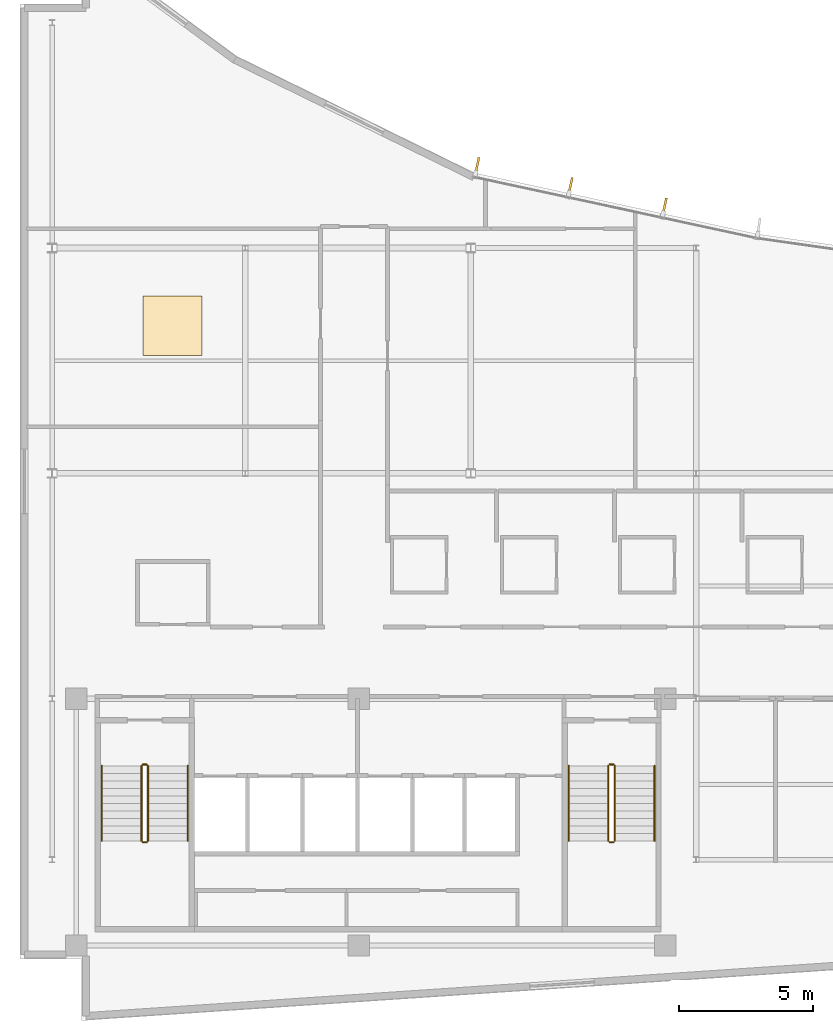
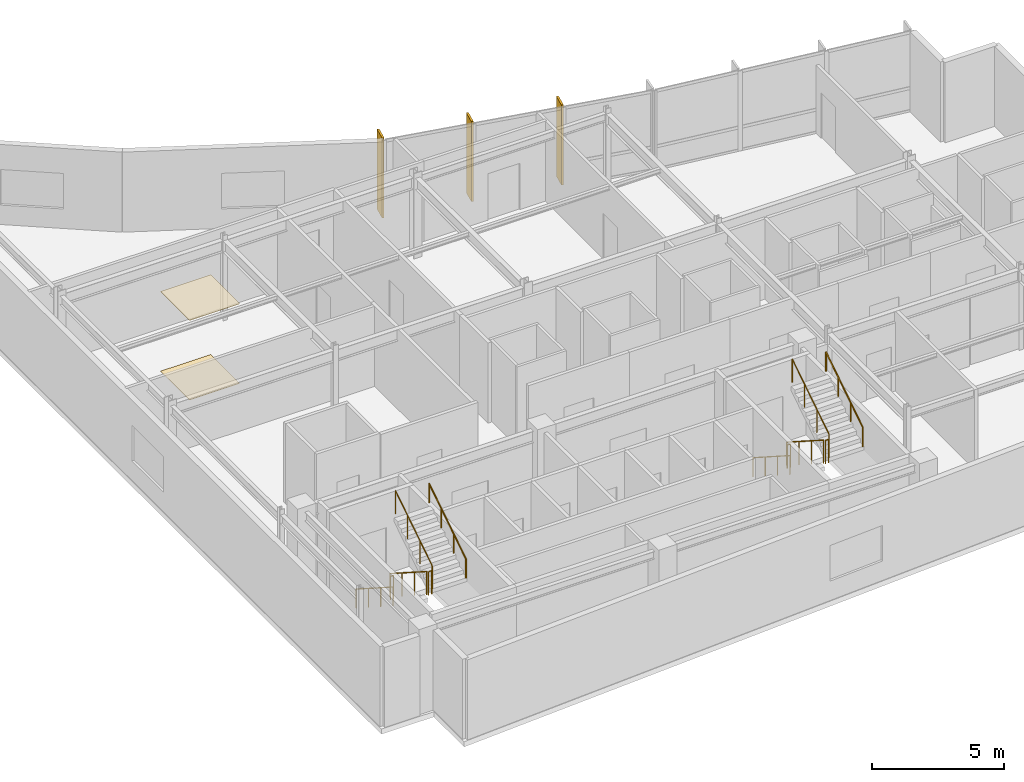
# One storey, part 14 of 16: 12 railings, 3 shading devices, 2 coverings.
"""IFC4 building model written with IfcOpenShell, lengths in metres."""

from ifc_helpers import new_model, si_unit, direction, frame, origin, origin_2d, place, context, subcontext, project, spatial, rectangle, circle, extrude, material, layer, layer_set, type_object, element, save


model = new_model("IFC4")

# Units and contexts
model_context = context("Model", 3, precision=1e-05, world=origin(), true_north=direction((0.0, 1.0)))
body_context = subcontext(model_context, "Body", "Model", "MODEL_VIEW")
ifc_project = project(units=[si_unit("LENGTHUNIT", "METRE"), si_unit("AREAUNIT", "SQUARE_METRE"), si_unit("VOLUMEUNIT", "CUBIC_METRE"), si_unit("PLANEANGLEUNIT", "RADIAN"), si_unit("MASSUNIT", "GRAM", prefix="KILO")], contexts=[model_context])

# Site, building, storey
site_placement = place(None, origin())
site = spatial("IfcSite", under=ifc_project, at=site_placement, CompositionType="ELEMENT")
building_placement = place(site_placement, origin())
building = spatial("IfcBuilding", under=site, at=building_placement, Name="Varnakote Quay Hospital", CompositionType="ELEMENT")
storey_placement = place(building_placement, frame((0.0, 0.0, 296.050048828125)))
storey = spatial("IfcBuildingStorey", under=building, at=storey_placement, Name="L73", CompositionType="ELEMENT", Elevation=296.050048828125)

# Coverings
ifc_material_1 = material(Name="Antimicrobial acoustic mineral ceiling tile", Category="gypsum")
ifc_layer_1 = layer(ifc_material_1, 0.02490234375)
ifc_layer_set_1 = layer_set([ifc_layer_1], Name="Antimicrobial acoustic mineral ceiling tile")
covering_type_1 = type_object("IfcCoveringType", Name="COV-CLIN-CEIL-25", PredefinedType="CEILING", material=ifc_layer_set_1)
covering_1_placement = place(storey_placement, frame((5.679931640625, 25.89990234375, 3.68505859375), z_axis=(0.0, 0.0, 1.0), x_axis=(1.0, 0.0, 0.0)))
element("IfcCovering", 1, at=covering_1_placement, inside=storey, type_object=covering_type_1, Name="L73 Antimicrobial Acoustic Ceiling Tile", PredefinedType="CEILING", context=body_context, shape_type="SweptSolid", body=[
    extrude(rectangle(XDim=2.199951171875, YDim=2.199951171875, at=origin_2d()), origin(), (0.0, 0.0, 1.0), 0.02490234375),
])
ifc_material_2 = material(Name="Seamless clinical sheet vinyl flooring")
ifc_layer_2 = layer(ifc_material_2, 0.011962890625)
ifc_layer_set_2 = layer_set([ifc_layer_2], Name="Seamless clinical sheet vinyl flooring")
covering_type_2 = type_object("IfcCoveringType", Name="COV-CLIN-VINYL-12", PredefinedType="FLOORING", material=ifc_layer_set_2)
covering_2_placement = place(storey_placement, frame((5.679931640625, 25.89990234375, 0.0), z_axis=(0.0, 0.0, 1.0), x_axis=(1.0, 0.0, 0.0)))
element("IfcCovering", 2, at=covering_2_placement, inside=storey, type_object=covering_type_2, Name="L73 Seamless Clinical Vinyl Flooring", PredefinedType="FLOORING", context=body_context, shape_type="SweptSolid", body=[
    extrude(rectangle(XDim=2.199951171875, YDim=2.199951171875, at=origin_2d()), origin(), (0.0, 0.0, 1.0), 0.011962890625),
])

# Railings
ifc_material_3 = material(Name="Brushed stainless steel balustrade", Category="steel")
railing_type_1 = type_object("IfcRailingType", Name="RLG-STAIR-GUARD-1150", PredefinedType="GUARDRAIL", material=ifc_material_3)
railing_1_placement = place(storey_placement, frame((4.530029296875, 9.5, 0.179443359375)))
element("IfcRailing", 3, at=railing_1_placement, inside=storey, type_object=railing_type_1, Name="L73 ST-01 stair guard 1", PredefinedType="GUARDRAIL", context=body_context, shape_type="SweptSolid", body=[
    extrude(circle(Radius=0.02392578125, at=origin_2d()), frame((0.0, 0.0, 1.076171875), z_axis=(0.0, -0.841809871826, 0.539774156196), x_axis=(1.0, 0.0, 0.0)), (0.0, 0.0, 1.0), 3.326171875),
    extrude(circle(Radius=0.02099609375, at=origin_2d()), origin(), (0.0, 0.0, 1.0), 1.052001953125),
    extrude(circle(Radius=0.02099609375, at=origin_2d()), frame((0.0, -0.933349609375, 0.598388671875)), (0.0, 0.0, 1.0), 1.052001953125),
    extrude(circle(Radius=0.02099609375, at=origin_2d()), frame((0.0, -1.86669921875, 1.197021484375)), (0.0, 0.0, 1.0), 1.052001953125),
    extrude(circle(Radius=0.02099609375, at=origin_2d()), frame((0.0, -2.800048828125, 1.79541015625)), (0.0, 0.0, 1.0), 1.052001953125),
])
railing_2_placement = place(storey_placement, frame((4.580078125, 6.64990234375, 1.974853515625)))
element("IfcRailing", 4, at=railing_2_placement, inside=storey, type_object=railing_type_1, Name="L73 ST-01 stair guard 2", PredefinedType="GUARDRAIL", context=body_context, shape_type="SweptSolid", body=[
    extrude(circle(Radius=0.02392578125, at=origin_2d()), frame((0.0, 0.0, 1.076171875), z_axis=(1.0, 0.0, 0.0), x_axis=(0.0, 1.0, 0.0)), (0.0, 0.0, 1.0), 0.139892578125),
    extrude(circle(Radius=0.02099609375, at=origin_2d()), origin(), (0.0, 0.0, 1.0), 1.052001953125),
    extrude(circle(Radius=0.02099609375, at=origin_2d()), frame((0.139892578125, 0.0, 0.0)), (0.0, 0.0, 1.0), 1.052001953125),
])
railing_3_placement = place(storey_placement, frame((4.77001953125, 6.699951171875, 2.154541015625)))
element("IfcRailing", 5, at=railing_3_placement, inside=storey, type_object=railing_type_1, Name="L73 ST-01 stair guard 3", PredefinedType="GUARDRAIL", context=body_context, shape_type="SweptSolid", body=[
    extrude(circle(Radius=0.02392578125, at=origin_2d()), frame((0.0, 0.0, 1.076171875), z_axis=(0.0, 0.841809871826, 0.539774156196), x_axis=(-1.0, 0.0, 0.0)), (0.0, 0.0, 1.0), 3.326171875),
    extrude(circle(Radius=0.02099609375, at=origin_2d()), origin(), (0.0, 0.0, 1.0), 1.052001953125),
    extrude(circle(Radius=0.02099609375, at=origin_2d()), frame((0.0, 0.933349609375, 0.598388671875)), (0.0, 0.0, 1.0), 1.052001953125),
    extrude(circle(Radius=0.02099609375, at=origin_2d()), frame((0.0, 1.86669921875, 1.197021484375)), (0.0, 0.0, 1.0), 1.052001953125),
    extrude(circle(Radius=0.02099609375, at=origin_2d()), frame((0.0, 2.800048828125, 1.79541015625)), (0.0, 0.0, 1.0), 1.052001953125),
])
railing_4_placement = place(storey_placement, frame((4.580078125, 9.550048828125, 0.0)))
element("IfcRailing", 6, at=railing_4_placement, inside=storey, type_object=railing_type_1, Name="L73 ST-01 stair guard 4", PredefinedType="GUARDRAIL", context=body_context, shape_type="SweptSolid", body=[
    extrude(circle(Radius=0.02392578125, at=origin_2d()), frame((0.0, 0.0, 1.076171875), z_axis=(1.0, 0.0, 0.0), x_axis=(0.0, 1.0, 0.0)), (0.0, 0.0, 1.0), 0.139892578125),
    extrude(circle(Radius=0.02099609375, at=origin_2d()), origin(), (0.0, 0.0, 1.0), 1.052001953125),
    extrude(circle(Radius=0.02099609375, at=origin_2d()), frame((0.139892578125, 0.0, 0.0)), (0.0, 0.0, 1.0), 1.052001953125),
])
railing_5_placement = place(storey_placement, frame((21.929931640625, 9.5, 0.179443359375)))
element("IfcRailing", 7, at=railing_5_placement, inside=storey, type_object=railing_type_1, Name="L73 ST-02 stair guard 1", PredefinedType="GUARDRAIL", context=body_context, shape_type="SweptSolid", body=[
    extrude(circle(Radius=0.02392578125, at=origin_2d()), frame((0.0, 0.0, 1.076171875), z_axis=(0.0, -0.841809871826, 0.539774156196), x_axis=(1.0, 0.0, 0.0)), (0.0, 0.0, 1.0), 3.326171875),
    extrude(circle(Radius=0.02099609375, at=origin_2d()), origin(), (0.0, 0.0, 1.0), 1.052001953125),
    extrude(circle(Radius=0.02099609375, at=origin_2d()), frame((0.0, -0.933349609375, 0.598388671875)), (0.0, 0.0, 1.0), 1.052001953125),
    extrude(circle(Radius=0.02099609375, at=origin_2d()), frame((0.0, -1.86669921875, 1.197021484375)), (0.0, 0.0, 1.0), 1.052001953125),
    extrude(circle(Radius=0.02099609375, at=origin_2d()), frame((0.0, -2.800048828125, 1.79541015625)), (0.0, 0.0, 1.0), 1.052001953125),
])
railing_6_placement = place(storey_placement, frame((21.97998046875, 6.64990234375, 1.974853515625)))
element("IfcRailing", 8, at=railing_6_placement, inside=storey, type_object=railing_type_1, Name="L73 ST-02 stair guard 2", PredefinedType="GUARDRAIL", context=body_context, shape_type="SweptSolid", body=[
    extrude(circle(Radius=0.02392578125, at=origin_2d()), frame((0.0, 0.0, 1.076171875), z_axis=(1.0, 0.0, 0.0), x_axis=(0.0, 1.0, 0.0)), (0.0, 0.0, 1.0), 0.14013671875),
    extrude(circle(Radius=0.02099609375, at=origin_2d()), origin(), (0.0, 0.0, 1.0), 1.052001953125),
    extrude(circle(Radius=0.02099609375, at=origin_2d()), frame((0.14013671875, 0.0, 0.0)), (0.0, 0.0, 1.0), 1.052001953125),
])
railing_7_placement = place(storey_placement, frame((22.169921875, 6.699951171875, 2.154541015625)))
element("IfcRailing", 9, at=railing_7_placement, inside=storey, type_object=railing_type_1, Name="L73 ST-02 stair guard 3", PredefinedType="GUARDRAIL", context=body_context, shape_type="SweptSolid", body=[
    extrude(circle(Radius=0.02392578125, at=origin_2d()), frame((0.0, 0.0, 1.076171875), z_axis=(0.0, 0.841809871826, 0.539774156196), x_axis=(-1.0, 0.0, 0.0)), (0.0, 0.0, 1.0), 3.326171875),
    extrude(circle(Radius=0.02099609375, at=origin_2d()), origin(), (0.0, 0.0, 1.0), 1.052001953125),
    extrude(circle(Radius=0.02099609375, at=origin_2d()), frame((0.0, 0.933349609375, 0.598388671875)), (0.0, 0.0, 1.0), 1.052001953125),
    extrude(circle(Radius=0.02099609375, at=origin_2d()), frame((0.0, 1.86669921875, 1.197021484375)), (0.0, 0.0, 1.0), 1.052001953125),
    extrude(circle(Radius=0.02099609375, at=origin_2d()), frame((0.0, 2.800048828125, 1.79541015625)), (0.0, 0.0, 1.0), 1.052001953125),
])
railing_8_placement = place(storey_placement, frame((21.97998046875, 9.550048828125, 0.0)))
element("IfcRailing", 10, at=railing_8_placement, inside=storey, type_object=railing_type_1, Name="L73 ST-02 stair guard 4", PredefinedType="GUARDRAIL", context=body_context, shape_type="SweptSolid", body=[
    extrude(circle(Radius=0.02392578125, at=origin_2d()), frame((0.0, 0.0, 1.076171875), z_axis=(1.0, 0.0, 0.0), x_axis=(0.0, 1.0, 0.0)), (0.0, 0.0, 1.0), 0.14013671875),
    extrude(circle(Radius=0.02099609375, at=origin_2d()), origin(), (0.0, 0.0, 1.0), 1.052001953125),
    extrude(circle(Radius=0.02099609375, at=origin_2d()), frame((0.14013671875, 0.0, 0.0)), (0.0, 0.0, 1.0), 1.052001953125),
])
ifc_material_4 = material(Name="Brushed stainless steel handrail", Category="steel")
railing_type_2 = type_object("IfcRailingType", Name="RLG-STAIR-HND-920", PredefinedType="HANDRAIL", material=ifc_material_4)
railing_9_placement = place(storey_placement, frame((3.050048828125, 9.5, 0.179443359375)))
element("IfcRailing", 11, at=railing_9_placement, inside=storey, type_object=railing_type_2, Name="L73 ST-01 stair handrail 1", PredefinedType="HANDRAIL", context=body_context, shape_type="SweptSolid", body=[
    extrude(circle(Radius=0.02392578125, at=origin_2d()), frame((0.0, 0.0, 0.8759765625), z_axis=(0.0, -0.841809871826, 0.539774156196), x_axis=(1.0, 0.0, 0.0)), (0.0, 0.0, 1.0), 3.326171875),
    extrude(circle(Radius=0.02099609375, at=origin_2d()), origin(), (0.0, 0.0, 1.0), 0.851806640625),
    extrude(circle(Radius=0.02099609375, at=origin_2d()), frame((0.0, -0.933349609375, 0.598388671875)), (0.0, 0.0, 1.0), 0.851806640625),
    extrude(circle(Radius=0.02099609375, at=origin_2d()), frame((0.0, -1.86669921875, 1.197021484375)), (0.0, 0.0, 1.0), 0.851806640625),
    extrude(circle(Radius=0.02099609375, at=origin_2d()), frame((0.0, -2.800048828125, 1.79541015625)), (0.0, 0.0, 1.0), 0.851806640625),
])
railing_10_placement = place(storey_placement, frame((6.25, 6.699951171875, 2.154541015625)))
element("IfcRailing", 12, at=railing_10_placement, inside=storey, type_object=railing_type_2, Name="L73 ST-01 stair handrail 2", PredefinedType="HANDRAIL", context=body_context, shape_type="SweptSolid", body=[
    extrude(circle(Radius=0.02392578125, at=origin_2d()), frame((0.0, 0.0, 0.8759765625), z_axis=(0.0, 0.841809871826, 0.539774156196), x_axis=(-1.0, 0.0, 0.0)), (0.0, 0.0, 1.0), 3.326171875),
    extrude(circle(Radius=0.02099609375, at=origin_2d()), origin(), (0.0, 0.0, 1.0), 0.851806640625),
    extrude(circle(Radius=0.02099609375, at=origin_2d()), frame((0.0, 0.933349609375, 0.598388671875)), (0.0, 0.0, 1.0), 0.851806640625),
    extrude(circle(Radius=0.02099609375, at=origin_2d()), frame((0.0, 1.86669921875, 1.197021484375)), (0.0, 0.0, 1.0), 0.851806640625),
    extrude(circle(Radius=0.02099609375, at=origin_2d()), frame((0.0, 2.800048828125, 1.79541015625)), (0.0, 0.0, 1.0), 0.851806640625),
])
railing_11_placement = place(storey_placement, frame((20.449951171875, 9.5, 0.179443359375)))
element("IfcRailing", 13, at=railing_11_placement, inside=storey, type_object=railing_type_2, Name="L73 ST-02 stair handrail 1", PredefinedType="HANDRAIL", context=body_context, shape_type="SweptSolid", body=[
    extrude(circle(Radius=0.02392578125, at=origin_2d()), frame((0.0, 0.0, 0.8759765625), z_axis=(0.0, -0.841809871826, 0.539774156196), x_axis=(1.0, 0.0, 0.0)), (0.0, 0.0, 1.0), 3.326171875),
    extrude(circle(Radius=0.02099609375, at=origin_2d()), origin(), (0.0, 0.0, 1.0), 0.851806640625),
    extrude(circle(Radius=0.02099609375, at=origin_2d()), frame((0.0, -0.933349609375, 0.598388671875)), (0.0, 0.0, 1.0), 0.851806640625),
    extrude(circle(Radius=0.02099609375, at=origin_2d()), frame((0.0, -1.86669921875, 1.197021484375)), (0.0, 0.0, 1.0), 0.851806640625),
    extrude(circle(Radius=0.02099609375, at=origin_2d()), frame((0.0, -2.800048828125, 1.79541015625)), (0.0, 0.0, 1.0), 0.851806640625),
])
railing_12_placement = place(storey_placement, frame((23.64990234375, 6.699951171875, 2.154541015625)))
element("IfcRailing", 14, at=railing_12_placement, inside=storey, type_object=railing_type_2, Name="L73 ST-02 stair handrail 2", PredefinedType="HANDRAIL", context=body_context, shape_type="SweptSolid", body=[
    extrude(circle(Radius=0.02392578125, at=origin_2d()), frame((0.0, 0.0, 0.8759765625), z_axis=(0.0, 0.841809871826, 0.539774156196), x_axis=(-1.0, 0.0, 0.0)), (0.0, 0.0, 1.0), 3.326171875),
    extrude(circle(Radius=0.02099609375, at=origin_2d()), origin(), (0.0, 0.0, 1.0), 0.851806640625),
    extrude(circle(Radius=0.02099609375, at=origin_2d()), frame((0.0, 0.933349609375, 0.598388671875)), (0.0, 0.0, 1.0), 0.851806640625),
    extrude(circle(Radius=0.02099609375, at=origin_2d()), frame((0.0, 1.86669921875, 1.197021484375)), (0.0, 0.0, 1.0), 0.851806640625),
    extrude(circle(Radius=0.02099609375, at=origin_2d()), frame((0.0, 2.800048828125, 1.79541015625)), (0.0, 0.0, 1.0), 0.851806640625),
])

# Shading devices
ifc_material_5 = material(Name="Anodised aluminium 6063-T6 Bronze", Category="aluminium")
ifc_layer_3 = layer(ifc_material_5, 0.0849609375)
ifc_layer_set_3 = layer_set([ifc_layer_3], Name="Anodised aluminium 6063-T6 Bronze")
shading_device_type = type_object("IfcShadingDeviceType", Name="SHD-BRONZE-FIN-620", PredefinedType="USERDEFINED", material=ifc_layer_set_3)
for number, where, z_axis, x_axis, name in (
    (15, (24.029296875, 30.361328125, 0.0), (0.0, 0.0, 1.0), (-0.211324796455, -0.977415894286, 0.0), "L73 Anodised Bronze Vertical Shading FIN"),
    (16, (20.519775390625, 31.120361328125, 0.0), (0.0, 0.0, 1.0), (-0.211324796455, -0.977415894286, 0.0), "L73 Anodised Bronze Vertical Shading FIN"),
    (17, (17.0419921875, 31.872802734375, 0.0), (0.0, 0.0, 1.0), (-0.211324796455, -0.977415894286, 0.0), "L73 Anodised Bronze Vertical Shading FIN"),
):
    element("IfcShadingDevice", number, at=place(storey_placement, frame(where, z_axis=z_axis, x_axis=x_axis)), inside=storey, type_object=shading_device_type, Name=name, ObjectType="FIN", PredefinedType="USERDEFINED", context=body_context, shape_type="SweptSolid", body=[
        extrude(rectangle(XDim=0.6201171875, YDim=0.0849609375, at=origin_2d()), origin(), (0.0, 0.0, 1.0), 3.7099609375),
    ])

save(model, "model.ifc")
